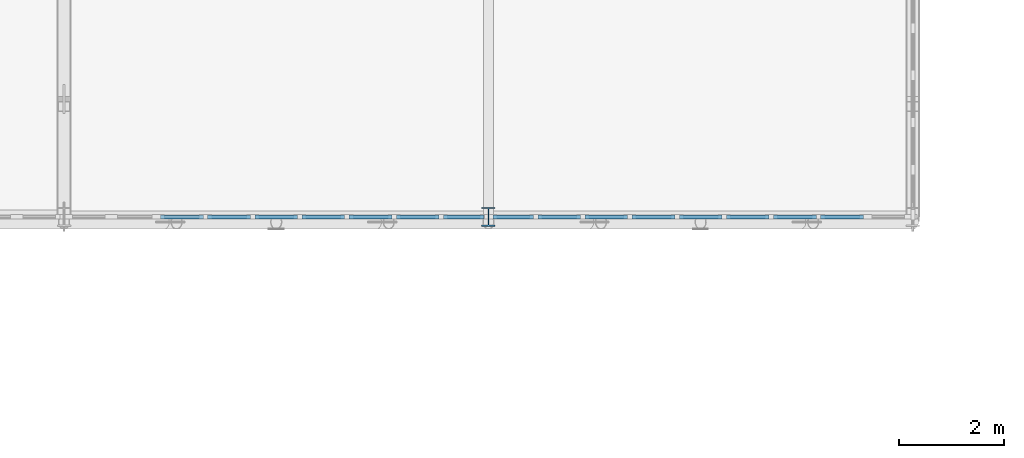
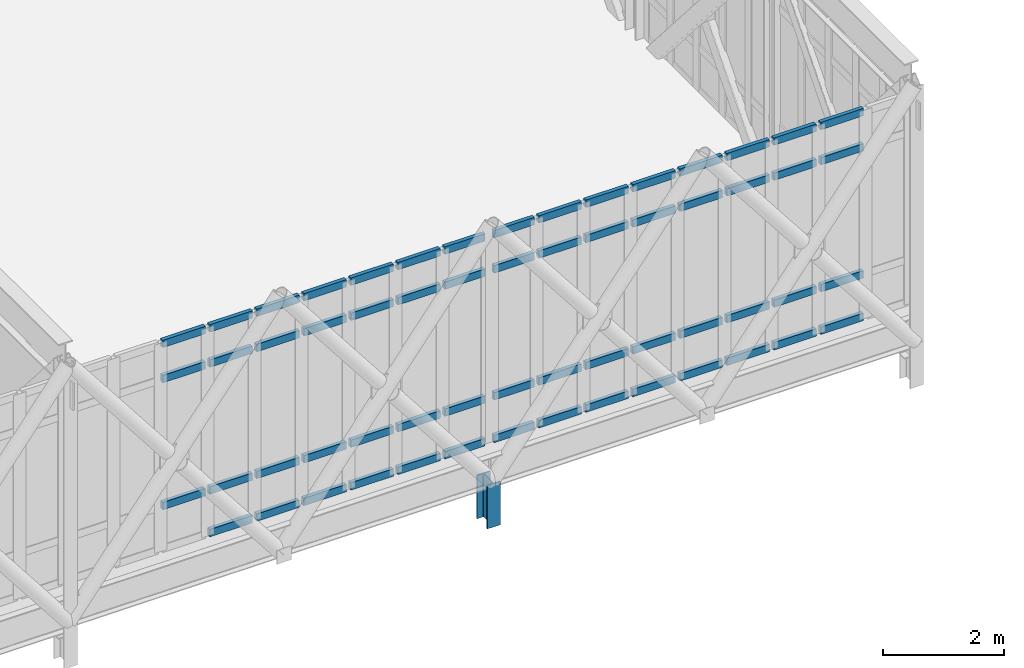
# One storey, part 47 of 107: 60 members, 2 elements without a shape of their own.
"""IFC4 building model written with IfcOpenShell, lengths in metres."""

from ifc_helpers import new_model, si_unit, direction, frame, origin, origin_2d, place, context, subcontext, project, spatial, rectangle, i_section, extrude, material, material_profile, profile_set, type_object, element, aggregate, save


model = new_model("IFC4")

# Units and contexts
model_context = context("Model", 3, precision=1e-05, world=origin(), true_north=direction((0.0, 1.0)))
body_context = subcontext(model_context, "Body", "Model", "MODEL_VIEW")
ifc_project = project(units=[si_unit("LENGTHUNIT", "METRE"), si_unit("AREAUNIT", "SQUARE_METRE"), si_unit("VOLUMEUNIT", "CUBIC_METRE"), si_unit("PLANEANGLEUNIT", "RADIAN"), si_unit("MASSUNIT", "GRAM", prefix="KILO")], contexts=[model_context])

# Site, building, storey
site_placement = place(None, origin())
site = spatial("IfcSite", under=ifc_project, at=site_placement, CompositionType="ELEMENT")
building_placement = place(site_placement, origin())
building = spatial("IfcBuilding", under=site, at=building_placement, Name="Tarnveldt Square Police Headquarters", CompositionType="ELEMENT")
storey_placement = place(building_placement, frame((0.0, 0.0, 14.699951171875)))
storey = spatial("IfcBuildingStorey", under=building, at=storey_placement, Name="L03", CompositionType="ELEMENT", Elevation=14.699951171875)

# Curtain wall, members
ifc_material_1 = material(Name="UL 752 Level III laminated ballistic vision glass", Category="glass")
curtain_wall_type = type_object("IfcCurtainWallType", Name="CW-BL-810x422", PredefinedType="USERDEFINED", material=ifc_material_1)
curtain_wall_1_placement = place(storey_placement, origin())
curtain_wall_1 = element("IfcCurtainWall", 1, at=curtain_wall_1_placement, inside=storey, type_object=curtain_wall_type, Name="L03 Curtain Wall CW-L03-028", ObjectType="BALLISTIC CURTAIN WALL", PredefinedType="USERDEFINED")
ifc_material_2 = material(Name="Thermally broken anodised aluminium 6063-T6", Category="aluminium")
ifc_material_profile_1 = material_profile(ifc_material_2, rectangle(XDim=0.074951171875, YDim=0.14990234375, at=origin_2d()), Name="CW-T75x150")
ifc_profile_set_1 = profile_set([ifc_material_profile_1], Name="Thermally broken anodised aluminium 6063-T6")
member_type_1 = type_object("IfcMemberType", Name="CWT-75x150", PredefinedType="USERDEFINED", material=ifc_profile_set_1)
member_1_placement = place(storey_placement, frame((50.4423828125, 7.0, 0.900146484375), z_axis=(1.0, 0.0, 0.0), x_axis=(0.0, 1.0, 0.0)))
member_1 = element("IfcMember", 2, at=member_1_placement, type_object=member_type_1, Name="CW-BL12 transom 3.2", ObjectType="TRANSOM", PredefinedType="USERDEFINED", context=body_context, shape_type="SweptSolid", body=[
    extrude(rectangle(XDim=0.074951171875, YDim=0.14990234375, at=origin_2d()), origin(), (0.0, 0.0, 1.0), 0.815185546875),
])
member_2_placement = place(storey_placement, frame((50.4423828125, 7.0, 3.469970703125), z_axis=(1.0, 0.0, 0.0), x_axis=(0.0, 1.0, 0.0)))
member_2 = element("IfcMember", 3, at=member_2_placement, type_object=member_type_1, Name="CW-BL12 transom 3.3", ObjectType="TRANSOM", PredefinedType="USERDEFINED", context=body_context, shape_type="SweptSolid", body=[
    extrude(rectangle(XDim=0.074951171875, YDim=0.14990234375, at=origin_2d()), origin(), (0.0, 0.0, 1.0), 0.815185546875),
])
member_3_placement = place(storey_placement, frame((50.4423828125, 7.0, 4.1826171875), z_axis=(1.0, 0.0, 0.0), x_axis=(0.0, 1.0, 0.0)))
member_3 = element("IfcMember", 4, at=member_3_placement, type_object=member_type_1, Name="CW-BL12 transom 3.4", ObjectType="TRANSOM", PredefinedType="USERDEFINED", context=body_context, shape_type="SweptSolid", body=[
    extrude(rectangle(XDim=0.074951171875, YDim=0.14990234375, at=origin_2d()), origin(), (0.0, 0.0, 1.0), 0.815185546875),
])
member_4_placement = place(storey_placement, frame((51.342529296875, 7.0, 0.03759765625), z_axis=(1.0, 0.0, 0.0), x_axis=(0.0, 1.0, 0.0)))
member_4 = element("IfcMember", 5, at=member_4_placement, type_object=member_type_1, Name="CW-BL12 transom 4.1", ObjectType="TRANSOM", PredefinedType="USERDEFINED", context=body_context, shape_type="SweptSolid", body=[
    extrude(rectangle(XDim=0.074951171875, YDim=0.14990234375, at=origin_2d()), origin(), (0.0, 0.0, 1.0), 0.81494140625),
])
member_5_placement = place(storey_placement, frame((51.342529296875, 7.0, 0.900146484375), z_axis=(1.0, 0.0, 0.0), x_axis=(0.0, 1.0, 0.0)))
member_5 = element("IfcMember", 6, at=member_5_placement, type_object=member_type_1, Name="CW-BL12 transom 4.2", ObjectType="TRANSOM", PredefinedType="USERDEFINED", context=body_context, shape_type="SweptSolid", body=[
    extrude(rectangle(XDim=0.074951171875, YDim=0.14990234375, at=origin_2d()), origin(), (0.0, 0.0, 1.0), 0.81494140625),
])
member_6_placement = place(storey_placement, frame((51.342529296875, 7.0, 3.469970703125), z_axis=(1.0, 0.0, 0.0), x_axis=(0.0, 1.0, 0.0)))
member_6 = element("IfcMember", 7, at=member_6_placement, type_object=member_type_1, Name="CW-BL12 transom 4.3", ObjectType="TRANSOM", PredefinedType="USERDEFINED", context=body_context, shape_type="SweptSolid", body=[
    extrude(rectangle(XDim=0.074951171875, YDim=0.14990234375, at=origin_2d()), origin(), (0.0, 0.0, 1.0), 0.81494140625),
])
member_7_placement = place(storey_placement, frame((51.342529296875, 7.0, 4.1826171875), z_axis=(1.0, 0.0, 0.0), x_axis=(0.0, 1.0, 0.0)))
member_7 = element("IfcMember", 8, at=member_7_placement, type_object=member_type_1, Name="CW-BL12 transom 4.4", ObjectType="TRANSOM", PredefinedType="USERDEFINED", context=body_context, shape_type="SweptSolid", body=[
    extrude(rectangle(XDim=0.074951171875, YDim=0.14990234375, at=origin_2d()), origin(), (0.0, 0.0, 1.0), 0.81494140625),
])
member_8_placement = place(storey_placement, frame((52.242431640625, 7.0, 0.03759765625), z_axis=(1.0, 0.0, 0.0), x_axis=(0.0, 1.0, 0.0)))
member_8 = element("IfcMember", 9, at=member_8_placement, type_object=member_type_1, Name="CW-BL12 transom 5.1", ObjectType="TRANSOM", PredefinedType="USERDEFINED", context=body_context, shape_type="SweptSolid", body=[
    extrude(rectangle(XDim=0.074951171875, YDim=0.14990234375, at=origin_2d()), origin(), (0.0, 0.0, 1.0), 0.815185546875),
])
member_9_placement = place(storey_placement, frame((52.242431640625, 7.0, 0.900146484375), z_axis=(1.0, 0.0, 0.0), x_axis=(0.0, 1.0, 0.0)))
member_9 = element("IfcMember", 10, at=member_9_placement, type_object=member_type_1, Name="CW-BL12 transom 5.2", ObjectType="TRANSOM", PredefinedType="USERDEFINED", context=body_context, shape_type="SweptSolid", body=[
    extrude(rectangle(XDim=0.074951171875, YDim=0.14990234375, at=origin_2d()), origin(), (0.0, 0.0, 1.0), 0.815185546875),
])
member_10_placement = place(storey_placement, frame((52.242431640625, 7.0, 3.469970703125), z_axis=(1.0, 0.0, 0.0), x_axis=(0.0, 1.0, 0.0)))
member_10 = element("IfcMember", 11, at=member_10_placement, type_object=member_type_1, Name="CW-BL12 transom 5.3", ObjectType="TRANSOM", PredefinedType="USERDEFINED", context=body_context, shape_type="SweptSolid", body=[
    extrude(rectangle(XDim=0.074951171875, YDim=0.14990234375, at=origin_2d()), origin(), (0.0, 0.0, 1.0), 0.815185546875),
])
member_11_placement = place(storey_placement, frame((52.242431640625, 7.0, 4.1826171875), z_axis=(1.0, 0.0, 0.0), x_axis=(0.0, 1.0, 0.0)))
member_11 = element("IfcMember", 12, at=member_11_placement, type_object=member_type_1, Name="CW-BL12 transom 5.4", ObjectType="TRANSOM", PredefinedType="USERDEFINED", context=body_context, shape_type="SweptSolid", body=[
    extrude(rectangle(XDim=0.074951171875, YDim=0.14990234375, at=origin_2d()), origin(), (0.0, 0.0, 1.0), 0.815185546875),
])
member_12_placement = place(storey_placement, frame((53.142578125, 7.0, 0.03759765625), z_axis=(1.0, 0.0, 0.0), x_axis=(0.0, 1.0, 0.0)))
member_12 = element("IfcMember", 13, at=member_12_placement, type_object=member_type_1, Name="CW-BL12 transom 6.1", ObjectType="TRANSOM", PredefinedType="USERDEFINED", context=body_context, shape_type="SweptSolid", body=[
    extrude(rectangle(XDim=0.074951171875, YDim=0.14990234375, at=origin_2d()), origin(), (0.0, 0.0, 1.0), 0.81494140625),
])
member_13_placement = place(storey_placement, frame((53.142578125, 7.0, 0.900146484375), z_axis=(1.0, 0.0, 0.0), x_axis=(0.0, 1.0, 0.0)))
member_13 = element("IfcMember", 14, at=member_13_placement, type_object=member_type_1, Name="CW-BL12 transom 6.2", ObjectType="TRANSOM", PredefinedType="USERDEFINED", context=body_context, shape_type="SweptSolid", body=[
    extrude(rectangle(XDim=0.074951171875, YDim=0.14990234375, at=origin_2d()), origin(), (0.0, 0.0, 1.0), 0.81494140625),
])
member_14_placement = place(storey_placement, frame((53.142578125, 7.0, 3.469970703125), z_axis=(1.0, 0.0, 0.0), x_axis=(0.0, 1.0, 0.0)))
member_14 = element("IfcMember", 15, at=member_14_placement, type_object=member_type_1, Name="CW-BL12 transom 6.3", ObjectType="TRANSOM", PredefinedType="USERDEFINED", context=body_context, shape_type="SweptSolid", body=[
    extrude(rectangle(XDim=0.074951171875, YDim=0.14990234375, at=origin_2d()), origin(), (0.0, 0.0, 1.0), 0.81494140625),
])
member_15_placement = place(storey_placement, frame((53.142578125, 7.0, 4.1826171875), z_axis=(1.0, 0.0, 0.0), x_axis=(0.0, 1.0, 0.0)))
member_15 = element("IfcMember", 16, at=member_15_placement, type_object=member_type_1, Name="CW-BL12 transom 6.4", ObjectType="TRANSOM", PredefinedType="USERDEFINED", context=body_context, shape_type="SweptSolid", body=[
    extrude(rectangle(XDim=0.074951171875, YDim=0.14990234375, at=origin_2d()), origin(), (0.0, 0.0, 1.0), 0.81494140625),
])
member_16_placement = place(storey_placement, frame((54.04248046875, 7.0, 0.03759765625), z_axis=(1.0, 0.0, 0.0), x_axis=(0.0, 1.0, 0.0)))
member_16 = element("IfcMember", 17, at=member_16_placement, type_object=member_type_1, Name="CW-BL12 transom 7.1", ObjectType="TRANSOM", PredefinedType="USERDEFINED", context=body_context, shape_type="SweptSolid", body=[
    extrude(rectangle(XDim=0.074951171875, YDim=0.14990234375, at=origin_2d()), origin(), (0.0, 0.0, 1.0), 0.81494140625),
])
member_17_placement = place(storey_placement, frame((54.04248046875, 7.0, 0.900146484375), z_axis=(1.0, 0.0, 0.0), x_axis=(0.0, 1.0, 0.0)))
member_17 = element("IfcMember", 18, at=member_17_placement, type_object=member_type_1, Name="CW-BL12 transom 7.2", ObjectType="TRANSOM", PredefinedType="USERDEFINED", context=body_context, shape_type="SweptSolid", body=[
    extrude(rectangle(XDim=0.074951171875, YDim=0.14990234375, at=origin_2d()), origin(), (0.0, 0.0, 1.0), 0.81494140625),
])
member_18_placement = place(storey_placement, frame((54.04248046875, 7.0, 3.469970703125), z_axis=(1.0, 0.0, 0.0), x_axis=(0.0, 1.0, 0.0)))
member_18 = element("IfcMember", 19, at=member_18_placement, type_object=member_type_1, Name="CW-BL12 transom 7.3", ObjectType="TRANSOM", PredefinedType="USERDEFINED", context=body_context, shape_type="SweptSolid", body=[
    extrude(rectangle(XDim=0.074951171875, YDim=0.14990234375, at=origin_2d()), origin(), (0.0, 0.0, 1.0), 0.81494140625),
])
member_19_placement = place(storey_placement, frame((54.04248046875, 7.0, 4.1826171875), z_axis=(1.0, 0.0, 0.0), x_axis=(0.0, 1.0, 0.0)))
member_19 = element("IfcMember", 20, at=member_19_placement, type_object=member_type_1, Name="CW-BL12 transom 7.4", ObjectType="TRANSOM", PredefinedType="USERDEFINED", context=body_context, shape_type="SweptSolid", body=[
    extrude(rectangle(XDim=0.074951171875, YDim=0.14990234375, at=origin_2d()), origin(), (0.0, 0.0, 1.0), 0.81494140625),
])
member_20_placement = place(storey_placement, frame((54.9423828125, 7.0, 0.03759765625), z_axis=(1.0, 0.0, 0.0), x_axis=(0.0, 1.0, 0.0)))
member_20 = element("IfcMember", 21, at=member_20_placement, type_object=member_type_1, Name="CW-BL12 transom 8.1", ObjectType="TRANSOM", PredefinedType="USERDEFINED", context=body_context, shape_type="SweptSolid", body=[
    extrude(rectangle(XDim=0.074951171875, YDim=0.14990234375, at=origin_2d()), origin(), (0.0, 0.0, 1.0), 0.815185546875),
])
member_21_placement = place(storey_placement, frame((54.9423828125, 7.0, 0.900146484375), z_axis=(1.0, 0.0, 0.0), x_axis=(0.0, 1.0, 0.0)))
member_21 = element("IfcMember", 22, at=member_21_placement, type_object=member_type_1, Name="CW-BL12 transom 8.2", ObjectType="TRANSOM", PredefinedType="USERDEFINED", context=body_context, shape_type="SweptSolid", body=[
    extrude(rectangle(XDim=0.074951171875, YDim=0.14990234375, at=origin_2d()), origin(), (0.0, 0.0, 1.0), 0.815185546875),
])
member_22_placement = place(storey_placement, frame((54.9423828125, 7.0, 3.469970703125), z_axis=(1.0, 0.0, 0.0), x_axis=(0.0, 1.0, 0.0)))
member_22 = element("IfcMember", 23, at=member_22_placement, type_object=member_type_1, Name="CW-BL12 transom 8.3", ObjectType="TRANSOM", PredefinedType="USERDEFINED", context=body_context, shape_type="SweptSolid", body=[
    extrude(rectangle(XDim=0.074951171875, YDim=0.14990234375, at=origin_2d()), origin(), (0.0, 0.0, 1.0), 0.815185546875),
])
member_23_placement = place(storey_placement, frame((54.9423828125, 7.0, 4.1826171875), z_axis=(1.0, 0.0, 0.0), x_axis=(0.0, 1.0, 0.0)))
member_23 = element("IfcMember", 24, at=member_23_placement, type_object=member_type_1, Name="CW-BL12 transom 8.4", ObjectType="TRANSOM", PredefinedType="USERDEFINED", context=body_context, shape_type="SweptSolid", body=[
    extrude(rectangle(XDim=0.074951171875, YDim=0.14990234375, at=origin_2d()), origin(), (0.0, 0.0, 1.0), 0.815185546875),
])
member_24_placement = place(storey_placement, frame((55.842529296875, 7.0, 0.03759765625), z_axis=(1.0, 0.0, 0.0), x_axis=(0.0, 1.0, 0.0)))
member_24 = element("IfcMember", 25, at=member_24_placement, type_object=member_type_1, Name="CW-BL12 transom 9.1", ObjectType="TRANSOM", PredefinedType="USERDEFINED", context=body_context, shape_type="SweptSolid", body=[
    extrude(rectangle(XDim=0.074951171875, YDim=0.14990234375, at=origin_2d()), origin(), (0.0, 0.0, 1.0), 0.7724609375),
])
member_25_placement = place(storey_placement, frame((55.842529296875, 7.0, 0.900146484375), z_axis=(1.0, 0.0, 0.0), x_axis=(0.0, 1.0, 0.0)))
member_25 = element("IfcMember", 26, at=member_25_placement, type_object=member_type_1, Name="CW-BL12 transom 9.2", ObjectType="TRANSOM", PredefinedType="USERDEFINED", context=body_context, shape_type="SweptSolid", body=[
    extrude(rectangle(XDim=0.074951171875, YDim=0.14990234375, at=origin_2d()), origin(), (0.0, 0.0, 1.0), 0.7724609375),
])
member_26_placement = place(storey_placement, frame((55.842529296875, 7.0, 3.469970703125), z_axis=(1.0, 0.0, 0.0), x_axis=(0.0, 1.0, 0.0)))
member_26 = element("IfcMember", 27, at=member_26_placement, type_object=member_type_1, Name="CW-BL12 transom 9.3", ObjectType="TRANSOM", PredefinedType="USERDEFINED", context=body_context, shape_type="SweptSolid", body=[
    extrude(rectangle(XDim=0.074951171875, YDim=0.14990234375, at=origin_2d()), origin(), (0.0, 0.0, 1.0), 0.7724609375),
])
member_27_placement = place(storey_placement, frame((55.842529296875, 7.0, 4.1826171875), z_axis=(1.0, 0.0, 0.0), x_axis=(0.0, 1.0, 0.0)))
member_27 = element("IfcMember", 28, at=member_27_placement, type_object=member_type_1, Name="CW-BL12 transom 9.4", ObjectType="TRANSOM", PredefinedType="USERDEFINED", context=body_context, shape_type="SweptSolid", body=[
    extrude(rectangle(XDim=0.074951171875, YDim=0.14990234375, at=origin_2d()), origin(), (0.0, 0.0, 1.0), 0.7724609375),
])
aggregate(curtain_wall_1, [member_1, member_2, member_3, member_4, member_5, member_6, member_7, member_8, member_9, member_10, member_11, member_12, member_13, member_14, member_15, member_16, member_17, member_18, member_19, member_20, member_21, member_22, member_23, member_24, member_25, member_26, member_27])

curtain_wall_2_placement = place(storey_placement, origin())
curtain_wall_2 = element("IfcCurtainWall", 29, at=curtain_wall_2_placement, inside=storey, type_object=curtain_wall_type, Name="L03 Curtain Wall CW-L03-029", ObjectType="BALLISTIC CURTAIN WALL", PredefinedType="USERDEFINED")
member_28_placement = place(storey_placement, frame((56.784912109375, 7.0, 0.03759765625), z_axis=(1.0, 0.0, 0.0), x_axis=(0.0, 1.0, 0.0)))
member_28 = element("IfcMember", 30, at=member_28_placement, type_object=member_type_1, Name="CW-BL12 transom 1.1", ObjectType="TRANSOM", PredefinedType="USERDEFINED", context=body_context, shape_type="SweptSolid", body=[
    extrude(rectangle(XDim=0.074951171875, YDim=0.14990234375, at=origin_2d()), origin(), (0.0, 0.0, 1.0), 0.772705078125),
])
member_29_placement = place(storey_placement, frame((56.784912109375, 7.0, 0.900146484375), z_axis=(1.0, 0.0, 0.0), x_axis=(0.0, 1.0, 0.0)))
member_29 = element("IfcMember", 31, at=member_29_placement, type_object=member_type_1, Name="CW-BL12 transom 1.2", ObjectType="TRANSOM", PredefinedType="USERDEFINED", context=body_context, shape_type="SweptSolid", body=[
    extrude(rectangle(XDim=0.074951171875, YDim=0.14990234375, at=origin_2d()), origin(), (0.0, 0.0, 1.0), 0.772705078125),
])
member_30_placement = place(storey_placement, frame((56.784912109375, 7.0, 3.469970703125), z_axis=(1.0, 0.0, 0.0), x_axis=(0.0, 1.0, 0.0)))
member_30 = element("IfcMember", 32, at=member_30_placement, type_object=member_type_1, Name="CW-BL12 transom 1.3", ObjectType="TRANSOM", PredefinedType="USERDEFINED", context=body_context, shape_type="SweptSolid", body=[
    extrude(rectangle(XDim=0.074951171875, YDim=0.14990234375, at=origin_2d()), origin(), (0.0, 0.0, 1.0), 0.772705078125),
])
member_31_placement = place(storey_placement, frame((56.784912109375, 7.0, 4.1826171875), z_axis=(1.0, 0.0, 0.0), x_axis=(0.0, 1.0, 0.0)))
member_31 = element("IfcMember", 33, at=member_31_placement, type_object=member_type_1, Name="CW-BL12 transom 1.4", ObjectType="TRANSOM", PredefinedType="USERDEFINED", context=body_context, shape_type="SweptSolid", body=[
    extrude(rectangle(XDim=0.074951171875, YDim=0.14990234375, at=origin_2d()), origin(), (0.0, 0.0, 1.0), 0.772705078125),
])
member_32_placement = place(storey_placement, frame((57.642578125, 7.0, 0.03759765625), z_axis=(1.0, 0.0, 0.0), x_axis=(0.0, 1.0, 0.0)))
member_32 = element("IfcMember", 34, at=member_32_placement, type_object=member_type_1, Name="CW-BL12 transom 2.1", ObjectType="TRANSOM", PredefinedType="USERDEFINED", context=body_context, shape_type="SweptSolid", body=[
    extrude(rectangle(XDim=0.074951171875, YDim=0.14990234375, at=origin_2d()), origin(), (0.0, 0.0, 1.0), 0.81494140625),
])
member_33_placement = place(storey_placement, frame((57.642578125, 7.0, 0.900146484375), z_axis=(1.0, 0.0, 0.0), x_axis=(0.0, 1.0, 0.0)))
member_33 = element("IfcMember", 35, at=member_33_placement, type_object=member_type_1, Name="CW-BL12 transom 2.2", ObjectType="TRANSOM", PredefinedType="USERDEFINED", context=body_context, shape_type="SweptSolid", body=[
    extrude(rectangle(XDim=0.074951171875, YDim=0.14990234375, at=origin_2d()), origin(), (0.0, 0.0, 1.0), 0.81494140625),
])
member_34_placement = place(storey_placement, frame((57.642578125, 7.0, 3.469970703125), z_axis=(1.0, 0.0, 0.0), x_axis=(0.0, 1.0, 0.0)))
member_34 = element("IfcMember", 36, at=member_34_placement, type_object=member_type_1, Name="CW-BL12 transom 2.3", ObjectType="TRANSOM", PredefinedType="USERDEFINED", context=body_context, shape_type="SweptSolid", body=[
    extrude(rectangle(XDim=0.074951171875, YDim=0.14990234375, at=origin_2d()), origin(), (0.0, 0.0, 1.0), 0.81494140625),
])
member_35_placement = place(storey_placement, frame((57.642578125, 7.0, 4.1826171875), z_axis=(1.0, 0.0, 0.0), x_axis=(0.0, 1.0, 0.0)))
member_35 = element("IfcMember", 37, at=member_35_placement, type_object=member_type_1, Name="CW-BL12 transom 2.4", ObjectType="TRANSOM", PredefinedType="USERDEFINED", context=body_context, shape_type="SweptSolid", body=[
    extrude(rectangle(XDim=0.074951171875, YDim=0.14990234375, at=origin_2d()), origin(), (0.0, 0.0, 1.0), 0.81494140625),
])
member_36_placement = place(storey_placement, frame((58.54248046875, 7.0, 0.03759765625), z_axis=(1.0, 0.0, 0.0), x_axis=(0.0, 1.0, 0.0)))
member_36 = element("IfcMember", 38, at=member_36_placement, type_object=member_type_1, Name="CW-BL12 transom 3.1", ObjectType="TRANSOM", PredefinedType="USERDEFINED", context=body_context, shape_type="SweptSolid", body=[
    extrude(rectangle(XDim=0.074951171875, YDim=0.14990234375, at=origin_2d()), origin(), (0.0, 0.0, 1.0), 0.81494140625),
])
member_37_placement = place(storey_placement, frame((58.54248046875, 7.0, 0.900146484375), z_axis=(1.0, 0.0, 0.0), x_axis=(0.0, 1.0, 0.0)))
member_37 = element("IfcMember", 39, at=member_37_placement, type_object=member_type_1, Name="CW-BL12 transom 3.2", ObjectType="TRANSOM", PredefinedType="USERDEFINED", context=body_context, shape_type="SweptSolid", body=[
    extrude(rectangle(XDim=0.074951171875, YDim=0.14990234375, at=origin_2d()), origin(), (0.0, 0.0, 1.0), 0.81494140625),
])
member_38_placement = place(storey_placement, frame((58.54248046875, 7.0, 3.469970703125), z_axis=(1.0, 0.0, 0.0), x_axis=(0.0, 1.0, 0.0)))
member_38 = element("IfcMember", 40, at=member_38_placement, type_object=member_type_1, Name="CW-BL12 transom 3.3", ObjectType="TRANSOM", PredefinedType="USERDEFINED", context=body_context, shape_type="SweptSolid", body=[
    extrude(rectangle(XDim=0.074951171875, YDim=0.14990234375, at=origin_2d()), origin(), (0.0, 0.0, 1.0), 0.81494140625),
])
member_39_placement = place(storey_placement, frame((58.54248046875, 7.0, 4.1826171875), z_axis=(1.0, 0.0, 0.0), x_axis=(0.0, 1.0, 0.0)))
member_39 = element("IfcMember", 41, at=member_39_placement, type_object=member_type_1, Name="CW-BL12 transom 3.4", ObjectType="TRANSOM", PredefinedType="USERDEFINED", context=body_context, shape_type="SweptSolid", body=[
    extrude(rectangle(XDim=0.074951171875, YDim=0.14990234375, at=origin_2d()), origin(), (0.0, 0.0, 1.0), 0.81494140625),
])
member_40_placement = place(storey_placement, frame((59.4423828125, 7.0, 0.03759765625), z_axis=(1.0, 0.0, 0.0), x_axis=(0.0, 1.0, 0.0)))
member_40 = element("IfcMember", 42, at=member_40_placement, type_object=member_type_1, Name="CW-BL12 transom 4.1", ObjectType="TRANSOM", PredefinedType="USERDEFINED", context=body_context, shape_type="SweptSolid", body=[
    extrude(rectangle(XDim=0.074951171875, YDim=0.14990234375, at=origin_2d()), origin(), (0.0, 0.0, 1.0), 0.815185546875),
])
member_41_placement = place(storey_placement, frame((59.4423828125, 7.0, 0.900146484375), z_axis=(1.0, 0.0, 0.0), x_axis=(0.0, 1.0, 0.0)))
member_41 = element("IfcMember", 43, at=member_41_placement, type_object=member_type_1, Name="CW-BL12 transom 4.2", ObjectType="TRANSOM", PredefinedType="USERDEFINED", context=body_context, shape_type="SweptSolid", body=[
    extrude(rectangle(XDim=0.074951171875, YDim=0.14990234375, at=origin_2d()), origin(), (0.0, 0.0, 1.0), 0.815185546875),
])
member_42_placement = place(storey_placement, frame((59.4423828125, 7.0, 3.469970703125), z_axis=(1.0, 0.0, 0.0), x_axis=(0.0, 1.0, 0.0)))
member_42 = element("IfcMember", 44, at=member_42_placement, type_object=member_type_1, Name="CW-BL12 transom 4.3", ObjectType="TRANSOM", PredefinedType="USERDEFINED", context=body_context, shape_type="SweptSolid", body=[
    extrude(rectangle(XDim=0.074951171875, YDim=0.14990234375, at=origin_2d()), origin(), (0.0, 0.0, 1.0), 0.815185546875),
])
member_43_placement = place(storey_placement, frame((59.4423828125, 7.0, 4.1826171875), z_axis=(1.0, 0.0, 0.0), x_axis=(0.0, 1.0, 0.0)))
member_43 = element("IfcMember", 45, at=member_43_placement, type_object=member_type_1, Name="CW-BL12 transom 4.4", ObjectType="TRANSOM", PredefinedType="USERDEFINED", context=body_context, shape_type="SweptSolid", body=[
    extrude(rectangle(XDim=0.074951171875, YDim=0.14990234375, at=origin_2d()), origin(), (0.0, 0.0, 1.0), 0.815185546875),
])
member_44_placement = place(storey_placement, frame((60.342529296875, 7.0, 0.03759765625), z_axis=(1.0, 0.0, 0.0), x_axis=(0.0, 1.0, 0.0)))
member_44 = element("IfcMember", 46, at=member_44_placement, type_object=member_type_1, Name="CW-BL12 transom 5.1", ObjectType="TRANSOM", PredefinedType="USERDEFINED", context=body_context, shape_type="SweptSolid", body=[
    extrude(rectangle(XDim=0.074951171875, YDim=0.14990234375, at=origin_2d()), origin(), (0.0, 0.0, 1.0), 0.81494140625),
])
member_45_placement = place(storey_placement, frame((60.342529296875, 7.0, 0.900146484375), z_axis=(1.0, 0.0, 0.0), x_axis=(0.0, 1.0, 0.0)))
member_45 = element("IfcMember", 47, at=member_45_placement, type_object=member_type_1, Name="CW-BL12 transom 5.2", ObjectType="TRANSOM", PredefinedType="USERDEFINED", context=body_context, shape_type="SweptSolid", body=[
    extrude(rectangle(XDim=0.074951171875, YDim=0.14990234375, at=origin_2d()), origin(), (0.0, 0.0, 1.0), 0.81494140625),
])
member_46_placement = place(storey_placement, frame((60.342529296875, 7.0, 3.469970703125), z_axis=(1.0, 0.0, 0.0), x_axis=(0.0, 1.0, 0.0)))
member_46 = element("IfcMember", 48, at=member_46_placement, type_object=member_type_1, Name="CW-BL12 transom 5.3", ObjectType="TRANSOM", PredefinedType="USERDEFINED", context=body_context, shape_type="SweptSolid", body=[
    extrude(rectangle(XDim=0.074951171875, YDim=0.14990234375, at=origin_2d()), origin(), (0.0, 0.0, 1.0), 0.81494140625),
])
member_47_placement = place(storey_placement, frame((60.342529296875, 7.0, 4.1826171875), z_axis=(1.0, 0.0, 0.0), x_axis=(0.0, 1.0, 0.0)))
member_47 = element("IfcMember", 49, at=member_47_placement, type_object=member_type_1, Name="CW-BL12 transom 5.4", ObjectType="TRANSOM", PredefinedType="USERDEFINED", context=body_context, shape_type="SweptSolid", body=[
    extrude(rectangle(XDim=0.074951171875, YDim=0.14990234375, at=origin_2d()), origin(), (0.0, 0.0, 1.0), 0.81494140625),
])
member_48_placement = place(storey_placement, frame((61.242431640625, 7.0, 0.03759765625), z_axis=(1.0, 0.0, 0.0), x_axis=(0.0, 1.0, 0.0)))
member_48 = element("IfcMember", 50, at=member_48_placement, type_object=member_type_1, Name="CW-BL12 transom 6.1", ObjectType="TRANSOM", PredefinedType="USERDEFINED", context=body_context, shape_type="SweptSolid", body=[
    extrude(rectangle(XDim=0.074951171875, YDim=0.14990234375, at=origin_2d()), origin(), (0.0, 0.0, 1.0), 0.815185546875),
])
member_49_placement = place(storey_placement, frame((61.242431640625, 7.0, 0.900146484375), z_axis=(1.0, 0.0, 0.0), x_axis=(0.0, 1.0, 0.0)))
member_49 = element("IfcMember", 51, at=member_49_placement, type_object=member_type_1, Name="CW-BL12 transom 6.2", ObjectType="TRANSOM", PredefinedType="USERDEFINED", context=body_context, shape_type="SweptSolid", body=[
    extrude(rectangle(XDim=0.074951171875, YDim=0.14990234375, at=origin_2d()), origin(), (0.0, 0.0, 1.0), 0.815185546875),
])
member_50_placement = place(storey_placement, frame((61.242431640625, 7.0, 3.469970703125), z_axis=(1.0, 0.0, 0.0), x_axis=(0.0, 1.0, 0.0)))
member_50 = element("IfcMember", 52, at=member_50_placement, type_object=member_type_1, Name="CW-BL12 transom 6.3", ObjectType="TRANSOM", PredefinedType="USERDEFINED", context=body_context, shape_type="SweptSolid", body=[
    extrude(rectangle(XDim=0.074951171875, YDim=0.14990234375, at=origin_2d()), origin(), (0.0, 0.0, 1.0), 0.815185546875),
])
member_51_placement = place(storey_placement, frame((61.242431640625, 7.0, 4.1826171875), z_axis=(1.0, 0.0, 0.0), x_axis=(0.0, 1.0, 0.0)))
member_51 = element("IfcMember", 53, at=member_51_placement, type_object=member_type_1, Name="CW-BL12 transom 6.4", ObjectType="TRANSOM", PredefinedType="USERDEFINED", context=body_context, shape_type="SweptSolid", body=[
    extrude(rectangle(XDim=0.074951171875, YDim=0.14990234375, at=origin_2d()), origin(), (0.0, 0.0, 1.0), 0.815185546875),
])
member_52_placement = place(storey_placement, frame((62.142578125, 7.0, 0.03759765625), z_axis=(1.0, 0.0, 0.0), x_axis=(0.0, 1.0, 0.0)))
member_52 = element("IfcMember", 54, at=member_52_placement, type_object=member_type_1, Name="CW-BL12 transom 7.1", ObjectType="TRANSOM", PredefinedType="USERDEFINED", context=body_context, shape_type="SweptSolid", body=[
    extrude(rectangle(XDim=0.074951171875, YDim=0.14990234375, at=origin_2d()), origin(), (0.0, 0.0, 1.0), 0.81494140625),
])
member_53_placement = place(storey_placement, frame((62.142578125, 7.0, 0.900146484375), z_axis=(1.0, 0.0, 0.0), x_axis=(0.0, 1.0, 0.0)))
member_53 = element("IfcMember", 55, at=member_53_placement, type_object=member_type_1, Name="CW-BL12 transom 7.2", ObjectType="TRANSOM", PredefinedType="USERDEFINED", context=body_context, shape_type="SweptSolid", body=[
    extrude(rectangle(XDim=0.074951171875, YDim=0.14990234375, at=origin_2d()), origin(), (0.0, 0.0, 1.0), 0.81494140625),
])
member_54_placement = place(storey_placement, frame((62.142578125, 7.0, 3.469970703125), z_axis=(1.0, 0.0, 0.0), x_axis=(0.0, 1.0, 0.0)))
member_54 = element("IfcMember", 56, at=member_54_placement, type_object=member_type_1, Name="CW-BL12 transom 7.3", ObjectType="TRANSOM", PredefinedType="USERDEFINED", context=body_context, shape_type="SweptSolid", body=[
    extrude(rectangle(XDim=0.074951171875, YDim=0.14990234375, at=origin_2d()), origin(), (0.0, 0.0, 1.0), 0.81494140625),
])
member_55_placement = place(storey_placement, frame((62.142578125, 7.0, 4.1826171875), z_axis=(1.0, 0.0, 0.0), x_axis=(0.0, 1.0, 0.0)))
member_55 = element("IfcMember", 57, at=member_55_placement, type_object=member_type_1, Name="CW-BL12 transom 7.4", ObjectType="TRANSOM", PredefinedType="USERDEFINED", context=body_context, shape_type="SweptSolid", body=[
    extrude(rectangle(XDim=0.074951171875, YDim=0.14990234375, at=origin_2d()), origin(), (0.0, 0.0, 1.0), 0.81494140625),
])
member_56_placement = place(storey_placement, frame((63.04248046875, 7.0, 0.03759765625), z_axis=(1.0, 0.0, 0.0), x_axis=(0.0, 1.0, 0.0)))
member_56 = element("IfcMember", 58, at=member_56_placement, type_object=member_type_1, Name="CW-BL12 transom 8.1", ObjectType="TRANSOM", PredefinedType="USERDEFINED", context=body_context, shape_type="SweptSolid", body=[
    extrude(rectangle(XDim=0.074951171875, YDim=0.14990234375, at=origin_2d()), origin(), (0.0, 0.0, 1.0), 0.81494140625),
])
member_57_placement = place(storey_placement, frame((63.04248046875, 7.0, 0.900146484375), z_axis=(1.0, 0.0, 0.0), x_axis=(0.0, 1.0, 0.0)))
member_57 = element("IfcMember", 59, at=member_57_placement, type_object=member_type_1, Name="CW-BL12 transom 8.2", ObjectType="TRANSOM", PredefinedType="USERDEFINED", context=body_context, shape_type="SweptSolid", body=[
    extrude(rectangle(XDim=0.074951171875, YDim=0.14990234375, at=origin_2d()), origin(), (0.0, 0.0, 1.0), 0.81494140625),
])
member_58_placement = place(storey_placement, frame((63.04248046875, 7.0, 3.469970703125), z_axis=(1.0, 0.0, 0.0), x_axis=(0.0, 1.0, 0.0)))
member_58 = element("IfcMember", 60, at=member_58_placement, type_object=member_type_1, Name="CW-BL12 transom 8.3", ObjectType="TRANSOM", PredefinedType="USERDEFINED", context=body_context, shape_type="SweptSolid", body=[
    extrude(rectangle(XDim=0.074951171875, YDim=0.14990234375, at=origin_2d()), origin(), (0.0, 0.0, 1.0), 0.81494140625),
])
member_59_placement = place(storey_placement, frame((63.04248046875, 7.0, 4.1826171875), z_axis=(1.0, 0.0, 0.0), x_axis=(0.0, 1.0, 0.0)))
member_59 = element("IfcMember", 61, at=member_59_placement, type_object=member_type_1, Name="CW-BL12 transom 8.4", ObjectType="TRANSOM", PredefinedType="USERDEFINED", context=body_context, shape_type="SweptSolid", body=[
    extrude(rectangle(XDim=0.074951171875, YDim=0.14990234375, at=origin_2d()), origin(), (0.0, 0.0, 1.0), 0.81494140625),
])
aggregate(curtain_wall_2, [member_28, member_29, member_30, member_31, member_32, member_33, member_34, member_35, member_36, member_37, member_38, member_39, member_40, member_41, member_42, member_43, member_44, member_45, member_46, member_47, member_48, member_49, member_50, member_51, member_52, member_53, member_54, member_55, member_56, member_57, member_58, member_59])

# Member
ifc_material_3 = material(Name="Steel 350W", Category="steel")
ifc_material_profile_2 = material_profile(ifc_material_3, i_section(OverallWidth=0.257080078125, OverallDepth=0.363037109375, WebThickness=0.012939453125, FlangeThickness=0.021728515625, FilletRadius=0.01611328125, at=origin_2d()), Name="W360x122")
ifc_profile_set_2 = profile_set([ifc_material_profile_2], Name="Steel 350W")
member_type_2 = type_object("IfcMemberType", Name="MEM-CT-POST", PredefinedType="STRUT", material=ifc_profile_set_2)
member_60_placement = place(storey_placement, frame((56.699951171875, 7.0, -1.619873046875), z_axis=(0.0, 0.0, 1.0), x_axis=(1.0, 0.0, 0.0)))
element("IfcMember", 62, at=member_60_placement, inside=storey, type_object=member_type_2, Name="Lantern Soffit Tip Hanger 7", PredefinedType="STRUT", context=body_context, shape_type="SweptSolid", body=[
    extrude(i_section(OverallWidth=0.257080078125, OverallDepth=0.363037109375, WebThickness=0.012939453125, FlangeThickness=0.021728515625, FilletRadius=0.01611328125, at=origin_2d()), origin(), (0.0, 0.0, 1.0), 0.876953125),
])

save(model, "model.ifc")
